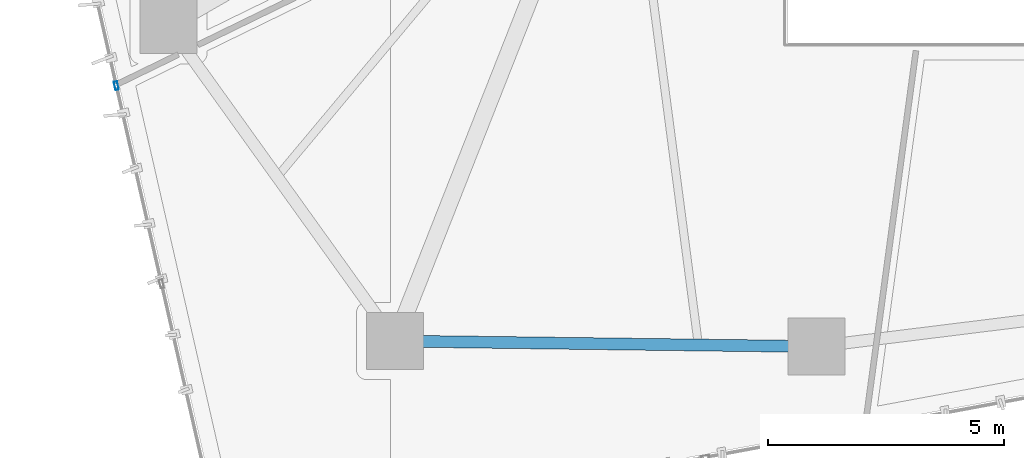
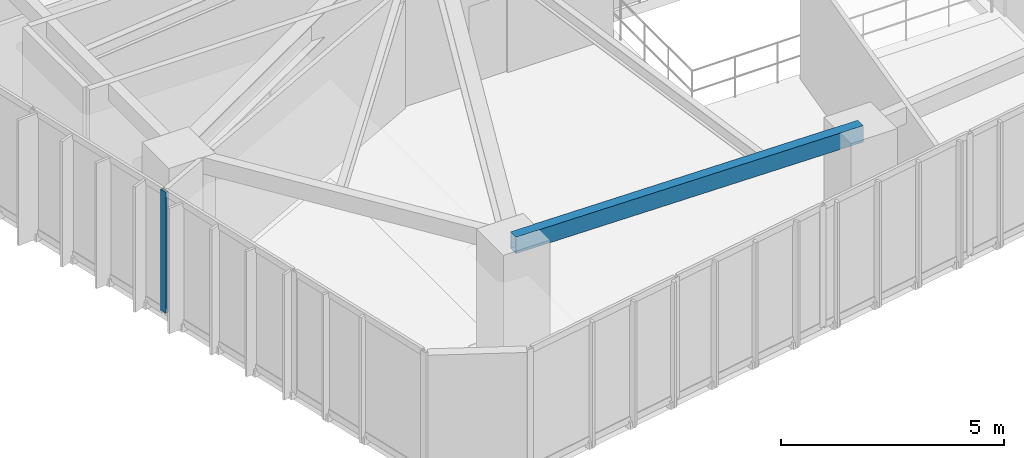
# One storey, part 3 of 22: 1 beam, 1 member, 1 element without a shape of its own.
"""IFC4 building model written with IfcOpenShell, lengths in metres."""

from ifc_helpers import new_model, si_unit, direction, frame, origin, origin_2d, place, context, subcontext, project, spatial, hollow_rectangle, extrude, source, transform, mapped, material, layer, layer_set, material_profile, profile_set, type_object, type_shapes, element, aggregate, save


model = new_model("IFC4")

# Units and contexts
model_context = context("Model", 3, precision=1e-05, world=origin(), true_north=direction((0.0, 1.0)))
body_context = subcontext(model_context, "Body", "Model", "MODEL_VIEW")
ifc_project = project(units=[si_unit("LENGTHUNIT", "METRE"), si_unit("AREAUNIT", "SQUARE_METRE"), si_unit("VOLUMEUNIT", "CUBIC_METRE"), si_unit("PLANEANGLEUNIT", "RADIAN"), si_unit("MASSUNIT", "GRAM", prefix="KILO")], contexts=[model_context])

# Site, building, storey
site_placement = place(None, origin())
site = spatial("IfcSite", under=ifc_project, at=site_placement, CompositionType="ELEMENT")
building_placement = place(site_placement, origin())
building = spatial("IfcBuilding", under=site, at=building_placement, Name="Talar Marvaseh", CompositionType="ELEMENT")
storey_placement = place(building_placement, frame((0.0, 0.0, 121.800048828125)))
storey = spatial("IfcBuildingStorey", under=building, at=storey_placement, Name="L31", CompositionType="ELEMENT", Elevation=121.800048828125)

# Beam
ifc_material_1 = material(Name="Steel S355", Category="steel")
ifc_material_profile_1 = material_profile(ifc_material_1, hollow_rectangle(XDim=0.25, YDim=0.449951171875, WallThickness=0.01611328125, at=origin_2d()), Name="RHS450x250x16")
ifc_profile_set_1 = profile_set([ifc_material_profile_1], Name="Steel S355")
beam_type = type_object("IfcBeamType", Name="Zone 2 Perimeter Spandrel Beam RHS450x250x16", PredefinedType="SPANDREL", material=ifc_profile_set_1)
beam_placement = place(storey_placement, frame((22.804931640625, 13.18310546875, 3.0849609375), z_axis=(-0.999915383581, 0.013008677034, 0.0), x_axis=(-0.013008677034, -0.999915383581, 0.0)))
element("IfcBeam", 1, at=beam_placement, inside=storey, type_object=beam_type, Name="L31 Zone 2 Perimeter Spandrel Beam RHS450x250x16", PredefinedType="SPANDREL", context=body_context, shape_type="SweptSolid", body=[
    extrude(hollow_rectangle(XDim=0.25, YDim=0.449951171875, WallThickness=0.01611328125, at=origin_2d()), origin(), (0.0, 0.0, 1.0), 8.91455078125),
])

# Curtain wall, member
ifc_material_2 = material(Name="Architectural Aluminium", Category="aluminium")
ifc_layer = layer(ifc_material_2, 0.199951171875)
ifc_layer_set = layer_set([ifc_layer], Name="Architectural Aluminium")
curtain_wall_type = type_object("IfcCurtainWallType", Name="Unitised Acoustic Library Curtain Wall Z2", PredefinedType="NOTDEFINED", material=ifc_layer_set)
curtain_wall_placement = place(storey_placement, origin())
curtain_wall = element("IfcCurtainWall", 2, at=curtain_wall_placement, inside=storey, type_object=curtain_wall_type, Name="L31 Unitised Acoustic Library Curtain Wall Z2", PredefinedType="NOTDEFINED")
ifc_material_profile_2 = material_profile(ifc_material_2, hollow_rectangle(XDim=0.074951171875, YDim=0.179931640625, WallThickness=0.0048828125, at=origin_2d()), Name="RHS180x75x5")
ifc_profile_set_2 = profile_set([ifc_material_profile_2], Name="Architectural Aluminium")
member_type = type_object("IfcMemberType", Name="Unitised Curtain Wall Standard Mullion RHS180x75x5", PredefinedType="MULLION", material=ifc_profile_set_2)
shared_shape = source(origin(), body_context, "Body", "SweptSolid", [
    extrude(hollow_rectangle(XDim=0.074951171875, YDim=0.179931640625, WallThickness=0.0048828125, at=origin_2d()), origin(), (0.0, 0.0, 1.0), 3.31005859375),
])
type_shapes(member_type, [shared_shape])
member_placement = place(storey_placement, frame((7.998291015625, 18.70068359375, 0.0), z_axis=(0.0, 0.0, 1.0), x_axis=(-0.974970261082, -0.222335309848, 0.0)))
member = element("IfcMember", 3, at=member_placement, type_object=member_type, Name="CW-Z2 mullion 3", PredefinedType="MULLION", context=body_context, shape_type="MappedRepresentation", body=[
    mapped(shared_shape, transform((0.0, 0.0, 0.0), x_axis=(1.0, 0.0, 0.0), y_axis=(0.0, 1.0, 0.0), z_axis=(0.0, 0.0, 1.0), scale=1.0)),
])
aggregate(curtain_wall, [member])

save(model, "model.ifc")
